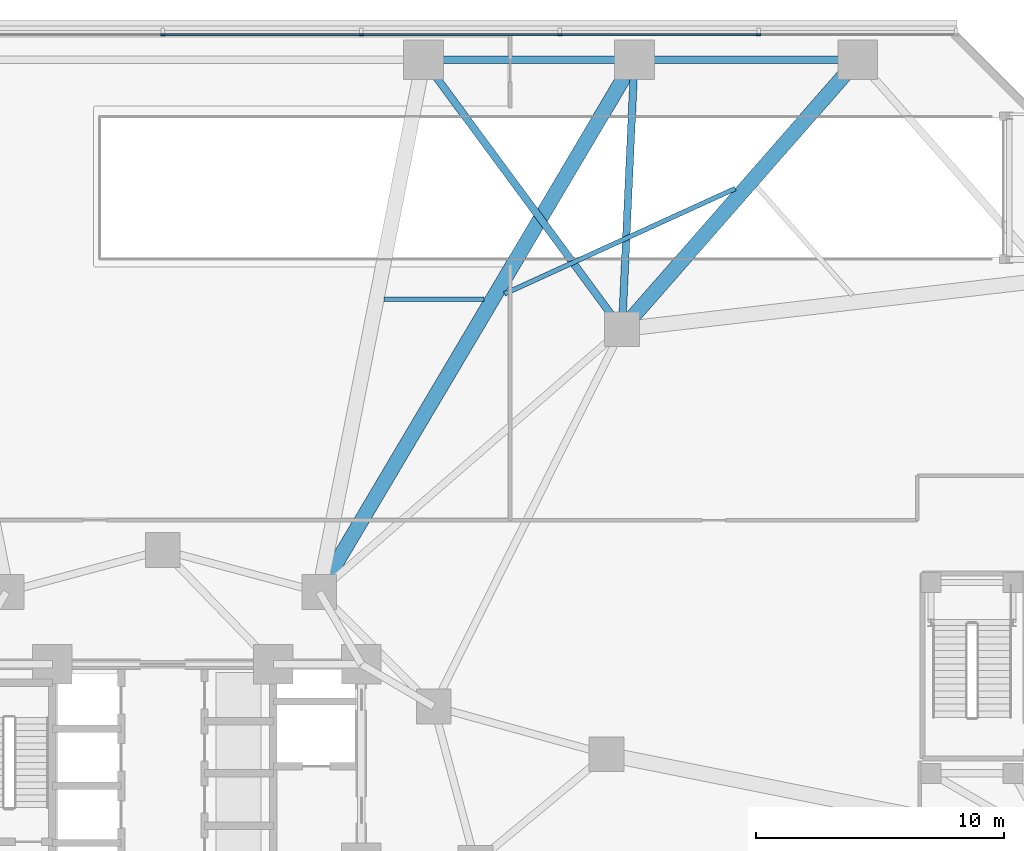
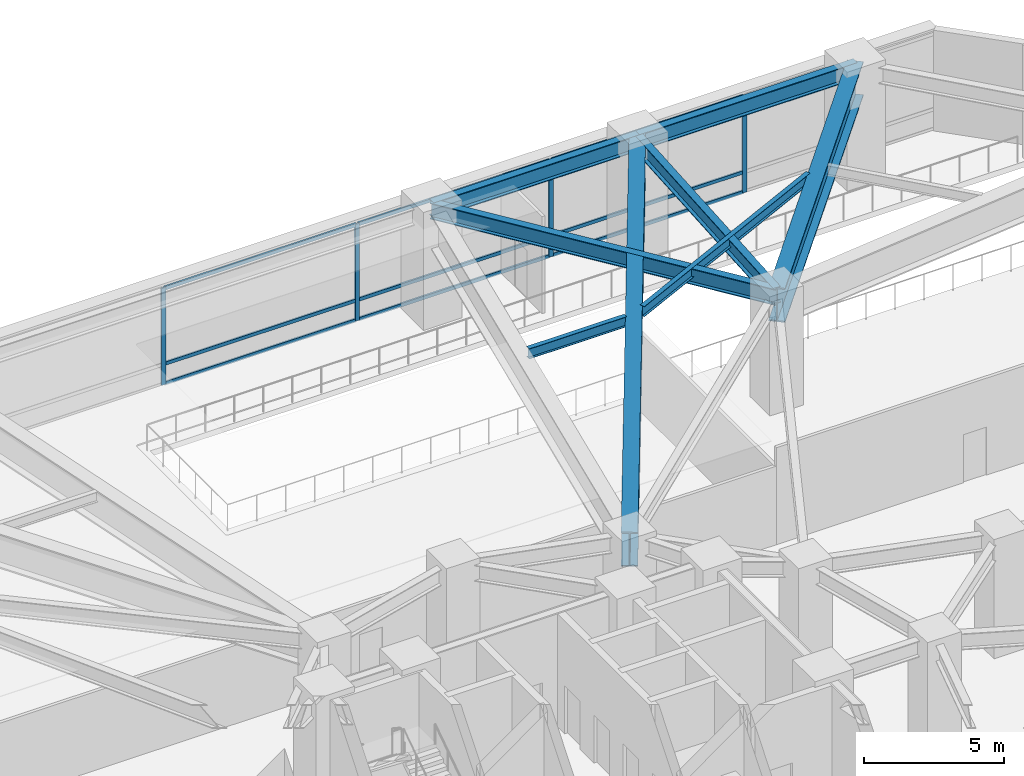
# One storey, part 12 of 30: 13 members, 8 beams, 1 element without a shape of its own.
"""IFC4 building model written with IfcOpenShell, lengths in metres."""

from ifc_helpers import new_model, si_unit, direction, frame, origin, origin_2d, place, context, subcontext, project, spatial, rectangle, i_section, extrude, material, layer, layer_set, material_profile, profile_set, type_object, element, aggregate, save


model = new_model("IFC4")

# Units and contexts
model_context = context("Model", 3, precision=1e-05, world=origin(), true_north=direction((0.0, 1.0)))
body_context = subcontext(model_context, "Body", "Model", "MODEL_VIEW")
ifc_project = project(units=[si_unit("LENGTHUNIT", "METRE"), si_unit("AREAUNIT", "SQUARE_METRE"), si_unit("VOLUMEUNIT", "CUBIC_METRE"), si_unit("PLANEANGLEUNIT", "RADIAN"), si_unit("MASSUNIT", "GRAM", prefix="KILO")], contexts=[model_context])

# Site, building, storey
site_placement = place(None, origin())
site = spatial("IfcSite", under=ifc_project, at=site_placement, CompositionType="ELEMENT")
building_placement = place(site_placement, origin())
building = spatial("IfcBuilding", under=site, at=building_placement, Name="Terralouvre Media Tower", CompositionType="ELEMENT")
storey_placement = place(building_placement, origin())
storey = spatial("IfcBuildingStorey", under=building, at=storey_placement, Name="L00", CompositionType="ELEMENT", Elevation=0.0)

# Beams
ifc_material_1 = material(Name="Structural steel S355J2", Category="steel")
ifc_material_profile_1 = material_profile(ifc_material_1, i_section(OverallWidth=0.18994140625, OverallDepth=0.449951171875, WebThickness=0.009521484375, FlangeThickness=0.0146484375, at=origin_2d()), Name="IPE 450")
ifc_profile_set_1 = profile_set([ifc_material_profile_1], Name="Structural steel S355J2")
beam_type_1 = type_object("IfcBeamType", Name="Composite Floor Joist J-IPE450 (IPE 450)", PredefinedType="JOIST", material=ifc_profile_set_1)
beam_1_placement = place(storey_placement, frame((23.062744140625, 27.165283203125, 4.72509765625), z_axis=(-0.909737414856, -0.415184098938, 0.0), x_axis=(0.415184098938, -0.909737414856, 0.0)))
element("IfcBeam", 1, at=beam_1_placement, inside=storey, type_object=beam_type_1, Name="L00 Framing Beam JT-L00-11", PredefinedType="JOIST", context=body_context, shape_type="SweptSolid", body=[
    extrude(i_section(OverallWidth=0.18994140625, OverallDepth=0.449951171875, WebThickness=0.009521484375, FlangeThickness=0.0146484375, at=origin_2d()), origin(), (0.0, 0.0, 1.0), 10.224609375),
])
beam_2_placement = place(storey_placement, frame((12.938232421875, 22.702880859375, 4.72509765625), z_axis=(-1.0, 0.0, 0.0), x_axis=(0.0, -1.0, 0.0)))
element("IfcBeam", 2, at=beam_2_placement, inside=storey, type_object=beam_type_1, Name="L00 Framing Beam JT-L00-12", PredefinedType="JOIST", context=body_context, shape_type="SweptSolid", body=[
    extrude(i_section(OverallWidth=0.18994140625, OverallDepth=0.449951171875, WebThickness=0.009521484375, FlangeThickness=0.0146484375, at=origin_2d()), origin(), (0.0, 0.0, 1.0), 4.0244140625),
])

# Curtain wall, members
ifc_material_2 = material(Name="Low-iron laminated double glazing with solar-control coating", Category="glass")
ifc_layer = layer(ifc_material_2, 0.1650390625, Name="Podium Broadcast Gallery Glazing CW-01")
ifc_layer_set = layer_set([ifc_layer], Name="Low-iron laminated double glazing with solar-control coating")
curtain_wall_type = type_object("IfcCurtainWallType", Name="Podium Broadcast Gallery Glazing CW-01", PredefinedType="NOTDEFINED", material=ifc_layer_set)
curtain_wall_placement = place(storey_placement, origin())
curtain_wall = element("IfcCurtainWall", 3, at=curtain_wall_placement, inside=storey, type_object=curtain_wall_type, Name="L00 Podium Curtain Wall F4", PredefinedType="NOTDEFINED")
ifc_material_3 = material(Name="Anodised extruded aluminium 6063-T6", Category="aluminium")
ifc_material_profile_2 = material_profile(ifc_material_3, rectangle(XDim=0.074951171875, YDim=0.14990234375, at=origin_2d()), Name="ALU 75x150")
ifc_profile_set_2 = profile_set([ifc_material_profile_2], Name="Anodised extruded aluminium 6063-T6")
member_type_1 = type_object("IfcMemberType", Name="Curtain-Wall Horizontal Transom TR-150", PredefinedType="USERDEFINED", material=ifc_profile_set_2)
member_1_placement = place(storey_placement, frame((23.96240234375, 33.360107421875, 0.03759765625), z_axis=(-1.0, 0.0, 0.0), x_axis=(0.0, -1.0, 0.0)))
member_1 = element("IfcMember", 4, at=member_1_placement, type_object=member_type_1, Name="CW-01 transom 2.1", ObjectType="TRANSOM", PredefinedType="USERDEFINED", context=body_context, shape_type="SweptSolid", body=[
    extrude(rectangle(XDim=0.074951171875, YDim=0.14990234375, at=origin_2d()), origin(), (0.0, 0.0, 1.0), 7.9248046875),
])
member_2_placement = place(storey_placement, frame((23.96240234375, 33.360107421875, 0.89990234375), z_axis=(-1.0, 0.0, 0.0), x_axis=(0.0, -1.0, 0.0)))
member_2 = element("IfcMember", 5, at=member_2_placement, type_object=member_type_1, Name="CW-01 transom 2.2", ObjectType="TRANSOM", PredefinedType="USERDEFINED", context=body_context, shape_type="SweptSolid", body=[
    extrude(rectangle(XDim=0.074951171875, YDim=0.14990234375, at=origin_2d()), origin(), (0.0, 0.0, 1.0), 7.9248046875),
])
member_3_placement = place(storey_placement, frame((23.96240234375, 33.360107421875, 4.1923828125), z_axis=(-1.0, 0.0, 0.0), x_axis=(0.0, -1.0, 0.0)))
member_3 = element("IfcMember", 6, at=member_3_placement, type_object=member_type_1, Name="CW-01 transom 2.3", ObjectType="TRANSOM", PredefinedType="USERDEFINED", context=body_context, shape_type="SweptSolid", body=[
    extrude(rectangle(XDim=0.074951171875, YDim=0.14990234375, at=origin_2d()), origin(), (0.0, 0.0, 1.0), 7.9248046875),
])
member_4_placement = place(storey_placement, frame((15.96240234375, 33.360107421875, 0.03759765625), z_axis=(-1.0, 0.0, 0.0), x_axis=(0.0, -1.0, 0.0)))
member_4 = element("IfcMember", 7, at=member_4_placement, type_object=member_type_1, Name="CW-01 transom 3.1", ObjectType="TRANSOM", PredefinedType="USERDEFINED", context=body_context, shape_type="SweptSolid", body=[
    extrude(rectangle(XDim=0.074951171875, YDim=0.14990234375, at=origin_2d()), origin(), (0.0, 0.0, 1.0), 7.9248046875),
])
member_5_placement = place(storey_placement, frame((15.96240234375, 33.360107421875, 0.89990234375), z_axis=(-1.0, 0.0, 0.0), x_axis=(0.0, -1.0, 0.0)))
member_5 = element("IfcMember", 8, at=member_5_placement, type_object=member_type_1, Name="CW-01 transom 3.2", ObjectType="TRANSOM", PredefinedType="USERDEFINED", context=body_context, shape_type="SweptSolid", body=[
    extrude(rectangle(XDim=0.074951171875, YDim=0.14990234375, at=origin_2d()), origin(), (0.0, 0.0, 1.0), 7.9248046875),
])
member_6_placement = place(storey_placement, frame((15.96240234375, 33.360107421875, 4.1923828125), z_axis=(-1.0, 0.0, 0.0), x_axis=(0.0, -1.0, 0.0)))
member_6 = element("IfcMember", 9, at=member_6_placement, type_object=member_type_1, Name="CW-01 transom 3.3", ObjectType="TRANSOM", PredefinedType="USERDEFINED", context=body_context, shape_type="SweptSolid", body=[
    extrude(rectangle(XDim=0.074951171875, YDim=0.14990234375, at=origin_2d()), origin(), (0.0, 0.0, 1.0), 7.9248046875),
])
member_7_placement = place(storey_placement, frame((7.96240234375, 33.360107421875, 0.03759765625), z_axis=(-1.0, 0.0, 0.0), x_axis=(0.0, -1.0, 0.0)))
member_7 = element("IfcMember", 10, at=member_7_placement, type_object=member_type_1, Name="CW-01 transom 4.1", ObjectType="TRANSOM", PredefinedType="USERDEFINED", context=body_context, shape_type="SweptSolid", body=[
    extrude(rectangle(XDim=0.074951171875, YDim=0.14990234375, at=origin_2d()), origin(), (0.0, 0.0, 1.0), 7.9248046875),
])
member_8_placement = place(storey_placement, frame((7.96240234375, 33.360107421875, 0.89990234375), z_axis=(-1.0, 0.0, 0.0), x_axis=(0.0, -1.0, 0.0)))
member_8 = element("IfcMember", 11, at=member_8_placement, type_object=member_type_1, Name="CW-01 transom 4.2", ObjectType="TRANSOM", PredefinedType="USERDEFINED", context=body_context, shape_type="SweptSolid", body=[
    extrude(rectangle(XDim=0.074951171875, YDim=0.14990234375, at=origin_2d()), origin(), (0.0, 0.0, 1.0), 7.9248046875),
])
member_9_placement = place(storey_placement, frame((7.96240234375, 33.360107421875, 4.1923828125), z_axis=(-1.0, 0.0, 0.0), x_axis=(0.0, -1.0, 0.0)))
member_9 = element("IfcMember", 12, at=member_9_placement, type_object=member_type_1, Name="CW-01 transom 4.3", ObjectType="TRANSOM", PredefinedType="USERDEFINED", context=body_context, shape_type="SweptSolid", body=[
    extrude(rectangle(XDim=0.074951171875, YDim=0.14990234375, at=origin_2d()), origin(), (0.0, 0.0, 1.0), 7.9248046875),
])
ifc_material_4 = material(Name="Anodised extruded aluminium 6063-T6", Category="aluminium")
ifc_material_profile_3 = material_profile(ifc_material_4, rectangle(XDim=0.074951171875, YDim=0.179931640625, at=origin_2d()), Name="ALU 75x180")
ifc_profile_set_3 = profile_set([ifc_material_profile_3], Name="Anodised extruded aluminium 6063-T6")
member_type_2 = type_object("IfcMemberType", Name="Curtain-Wall Vertical Mullion ML-180", PredefinedType="MULLION", material=ifc_profile_set_3)
member_10_placement = place(storey_placement, frame((24.0, 33.360107421875, 0.0), z_axis=(0.0, 0.0, 1.0), x_axis=(0.0, -1.0, 0.0)))
member_10 = element("IfcMember", 13, at=member_10_placement, type_object=member_type_2, Name="CW-01 mullion 2", PredefinedType="MULLION", context=body_context, shape_type="SweptSolid", body=[
    extrude(rectangle(XDim=0.074951171875, YDim=0.179931640625, at=origin_2d()), origin(), (0.0, 0.0, 1.0), 4.22998046875),
])
member_11_placement = place(storey_placement, frame((16.0, 33.360107421875, 0.0), z_axis=(0.0, 0.0, 1.0), x_axis=(0.0, -1.0, 0.0)))
member_11 = element("IfcMember", 14, at=member_11_placement, type_object=member_type_2, Name="CW-01 mullion 3", PredefinedType="MULLION", context=body_context, shape_type="SweptSolid", body=[
    extrude(rectangle(XDim=0.074951171875, YDim=0.179931640625, at=origin_2d()), origin(), (0.0, 0.0, 1.0), 4.22998046875),
])
member_12_placement = place(storey_placement, frame((8.0, 33.360107421875, 0.0), z_axis=(0.0, 0.0, 1.0), x_axis=(0.0, -1.0, 0.0)))
member_12 = element("IfcMember", 15, at=member_12_placement, type_object=member_type_2, Name="CW-01 mullion 4", PredefinedType="MULLION", context=body_context, shape_type="SweptSolid", body=[
    extrude(rectangle(XDim=0.074951171875, YDim=0.179931640625, at=origin_2d()), origin(), (0.0, 0.0, 1.0), 4.22998046875),
])
member_13_placement = place(storey_placement, frame((0.0, 33.360107421875, 0.0), z_axis=(0.0, 0.0, 1.0), x_axis=(0.0, -1.0, 0.0)))
member_13 = element("IfcMember", 16, at=member_13_placement, type_object=member_type_2, Name="CW-01 mullion 5", PredefinedType="MULLION", context=body_context, shape_type="SweptSolid", body=[
    extrude(rectangle(XDim=0.074951171875, YDim=0.179931640625, at=origin_2d()), origin(), (0.0, 0.0, 1.0), 4.22998046875),
])
aggregate(curtain_wall, [member_10, member_11, member_12, member_13, member_1, member_2, member_3, member_4, member_5, member_6, member_7, member_8, member_9])

# Beams
ifc_material_5 = material(Name="Structural steel S460M", Category="steel")
ifc_material_profile_4 = material_profile(ifc_material_5, i_section(OverallWidth=0.300048828125, OverallDepth=0.699951171875, WebThickness=0.01708984375, FlangeThickness=0.031982421875, at=origin_2d()), Name="HEB 700")
ifc_profile_set_4 = profile_set([ifc_material_profile_4], Name="Structural steel S460M")
beam_type_2 = type_object("IfcBeamType", Name="Primary Floor Girder B-HEB700 (HEB 700)", PredefinedType="BEAM", material=ifc_profile_set_4)
beam_3_placement = place(storey_placement, frame((18.5, 21.5, 4.60009765625), z_axis=(0.046033681898, 0.998939888147, 0.0), x_axis=(-0.998939888147, 0.046033681898, 0.0)))
element("IfcBeam", 17, at=beam_3_placement, inside=storey, type_object=beam_type_2, Name="L00 Framing Beam BM-L00-PM20P1", PredefinedType="BEAM", context=body_context, shape_type="SweptSolid", body=[
    extrude(i_section(OverallWidth=0.300048828125, OverallDepth=0.699951171875, WebThickness=0.01708984375, FlangeThickness=0.031982421875, at=origin_2d()), origin(), (0.0, 0.0, 1.0), 10.861572265625),
])
beam_4_placement = place(storey_placement, frame((18.5, 21.5, 4.60009765625), z_axis=(-0.593448591359, 0.804871896276, 0.0), x_axis=(-0.804871896276, -0.593448591359, 0.0)))
element("IfcBeam", 18, at=beam_4_placement, inside=storey, type_object=beam_type_2, Name="L00 Framing Beam BM-L00-PM20P2", PredefinedType="BEAM", context=body_context, shape_type="SweptSolid", body=[
    extrude(i_section(OverallWidth=0.300048828125, OverallDepth=0.699951171875, WebThickness=0.01708984375, FlangeThickness=0.031982421875, at=origin_2d()), origin(), (0.0, 0.0, 1.0), 13.48046875),
])
beam_5_placement = place(storey_placement, frame((28.0, 32.35009765625, 4.60009765625), z_axis=(-1.0, 0.0, 0.0), x_axis=(0.0, -1.0, 0.0)))
element("IfcBeam", 19, at=beam_5_placement, inside=storey, type_object=beam_type_2, Name="L00 Framing Beam BM-L00-PR11", PredefinedType="BEAM", context=body_context, shape_type="SweptSolid", body=[
    extrude(i_section(OverallWidth=0.300048828125, OverallDepth=0.699951171875, WebThickness=0.01708984375, FlangeThickness=0.031982421875, at=origin_2d()), origin(), (0.0, 0.0, 1.0), 9.0),
])
beam_6_placement = place(storey_placement, frame((19.0, 32.35009765625, 4.60009765625), z_axis=(-1.0, 0.0, 0.0), x_axis=(0.0, -1.0, 0.0)))
element("IfcBeam", 20, at=beam_6_placement, inside=storey, type_object=beam_type_2, Name="L00 Framing Beam BM-L00-PR12", PredefinedType="BEAM", context=body_context, shape_type="SweptSolid", body=[
    extrude(i_section(OverallWidth=0.300048828125, OverallDepth=0.699951171875, WebThickness=0.01708984375, FlangeThickness=0.031982421875, at=origin_2d()), origin(), (0.0, 0.0, 1.0), 8.5),
])
ifc_material_6 = material(Name="Structural steel S460M", Category="steel")
ifc_material_profile_5 = material_profile(ifc_material_6, i_section(OverallWidth=0.60009765625, OverallDepth=1.5, WebThickness=0.033935546875, FlangeThickness=0.054931640625, at=origin_2d()), Name="PG 1500x600")
ifc_profile_set_5 = profile_set([ifc_material_profile_5], Name="Structural steel S460M")
beam_type_3 = type_object("IfcBeamType", Name="Primary Floor Girder B-PG1500 (PG 1500x600)", PredefinedType="BEAM", material=ifc_profile_set_5)
beam_7_placement = place(storey_placement, frame((18.5, 21.5, 4.199951171875), z_axis=(0.658746675471, 0.752364816799, 0.0), x_axis=(-0.752364816799, 0.658746675471, 0.0)))
element("IfcBeam", 21, at=beam_7_placement, inside=storey, type_object=beam_type_3, Name="L00 Framing Beam BM-L00-RD11", PredefinedType="BEAM", context=body_context, shape_type="SweptSolid", body=[
    extrude(i_section(OverallWidth=0.60009765625, OverallDepth=1.5, WebThickness=0.033935546875, FlangeThickness=0.054931640625, at=origin_2d()), origin(), (0.0, 0.0, 1.0), 14.42138671875),
])
beam_8_placement = place(storey_placement, frame((6.300048828125, 10.911865234375, 4.199951171875), z_axis=(0.509678035934, 0.860365212969, 0.0), x_axis=(-0.860365212969, 0.509678035934, 0.0)))
element("IfcBeam", 22, at=beam_8_placement, inside=storey, type_object=beam_type_3, Name="L00 Framing Beam BM-L00-RD12", PredefinedType="BEAM", context=body_context, shape_type="SweptSolid", body=[
    extrude(i_section(OverallWidth=0.60009765625, OverallDepth=1.5, WebThickness=0.033935546875, FlangeThickness=0.054931640625, at=origin_2d()), origin(), (0.0, 0.0, 1.0), 24.91748046875),
])

save(model, "model.ifc")
